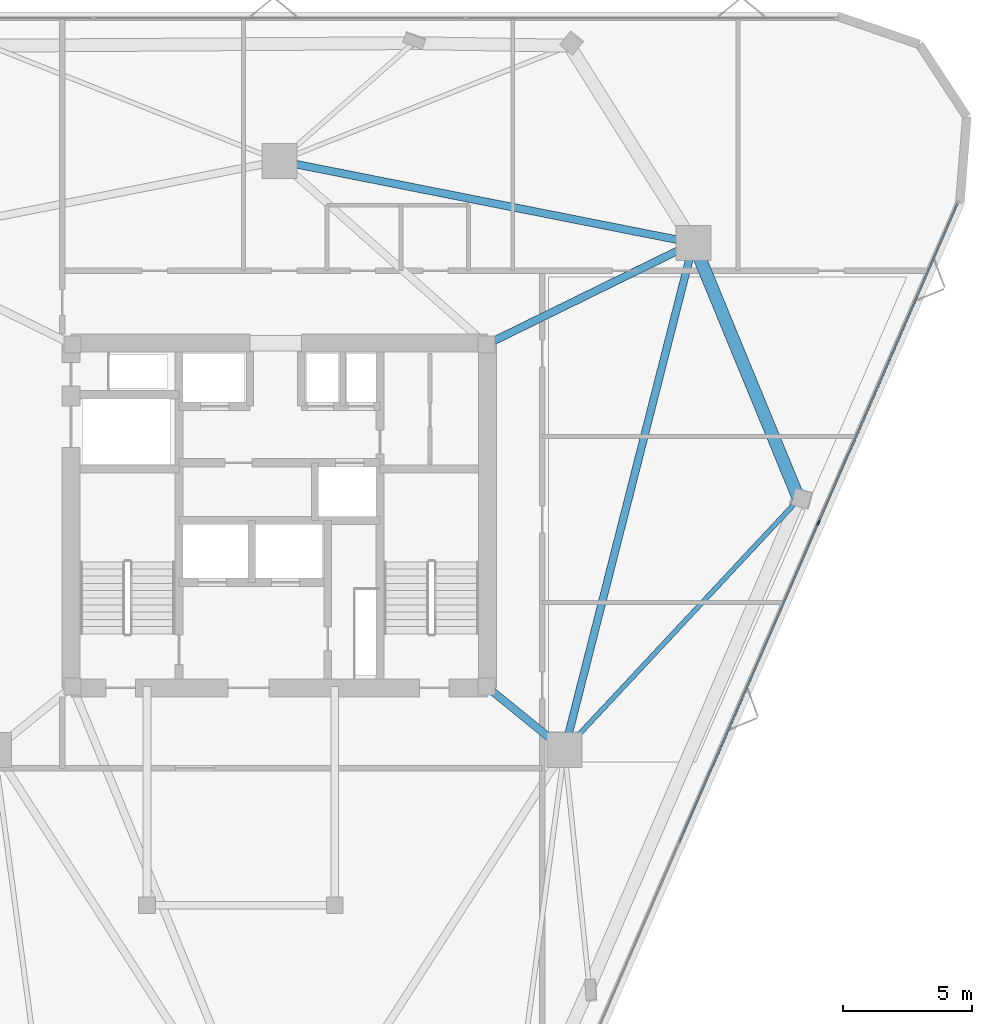
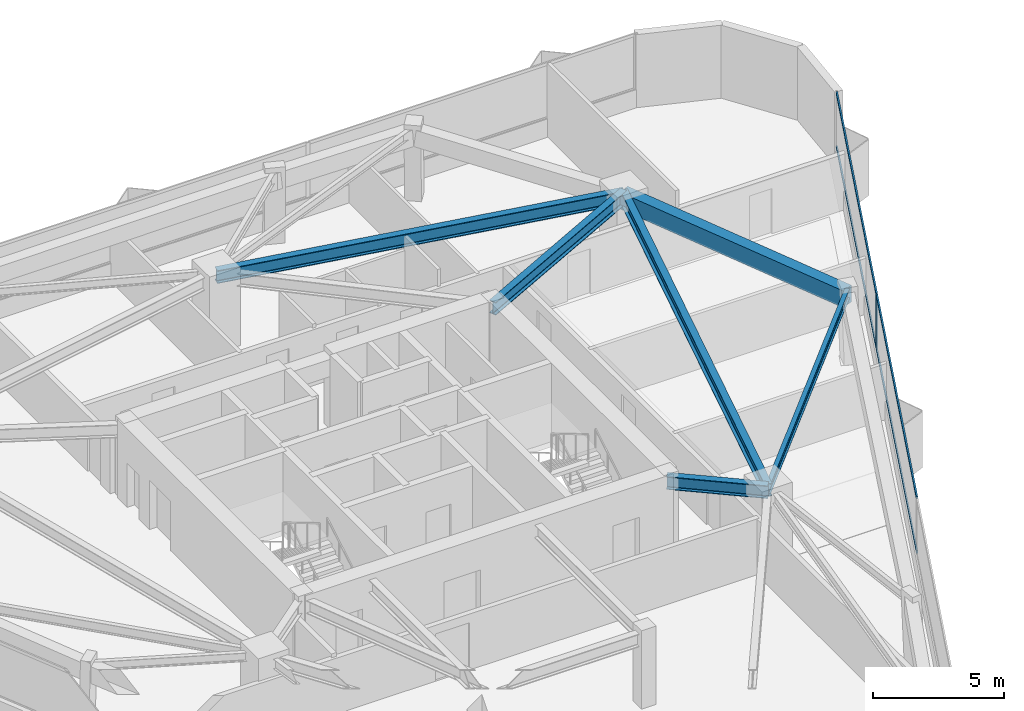
# One storey, part 7 of 12: 6 beams, 5 members, 1 element without a shape of its own.
"""IFC4 building model written with IfcOpenShell, lengths in metres."""

from ifc_helpers import new_model, si_unit, direction, frame, origin, origin_2d, place, context, subcontext, project, spatial, rectangle, i_section, extrude, material, layer, layer_set, material_profile, profile_set, type_object, element, aggregate, save


model = new_model("IFC4")

# Units and contexts
model_context = context("Model", 3, precision=1e-05, world=origin(), true_north=direction((0.0, 1.0)))
body_context = subcontext(model_context, "Body", "Model", "MODEL_VIEW")
ifc_project = project(units=[si_unit("LENGTHUNIT", "METRE"), si_unit("AREAUNIT", "SQUARE_METRE"), si_unit("VOLUMEUNIT", "CUBIC_METRE"), si_unit("PLANEANGLEUNIT", "RADIAN"), si_unit("MASSUNIT", "GRAM", prefix="KILO")], contexts=[model_context])

# Site, building, storey
site_placement = place(None, origin())
site = spatial("IfcSite", under=ifc_project, at=site_placement, CompositionType="ELEMENT")
building_placement = place(site_placement, origin())
building = spatial("IfcBuilding", under=site, at=building_placement, Name="Talyreon Biosciences Tower", CompositionType="ELEMENT")
storey_placement = place(building_placement, frame((0.0, 0.0, 179.39990234375)))
storey = spatial("IfcBuildingStorey", under=building, at=storey_placement, Name="L47", CompositionType="ELEMENT", Elevation=179.39990234375)

# Curtain wall, members
ifc_material_1 = material(Name="Thermally broken aluminium and low-E glazing", Category="aluminium")
ifc_layer = layer(ifc_material_1, 0.179931640625)
ifc_layer_set = layer_set([ifc_layer], Name="Thermally broken aluminium and low-E glazing")
curtain_wall_type = type_object("IfcCurtainWallType", Name="CurtainWall_Zone4Optical", PredefinedType="NOTDEFINED", material=ifc_layer_set)
curtain_wall_placement = place(storey_placement, origin())
curtain_wall = element("IfcCurtainWall", 1, at=curtain_wall_placement, inside=storey, type_object=curtain_wall_type, Name="L47 Unitised Curtain Wall FCW-L47-08", PredefinedType="NOTDEFINED")
ifc_material_2 = material(Name="Anodised thermally broken aluminium", Category="aluminium")
ifc_material_profile_1 = material_profile(ifc_material_2, rectangle(XDim=0.06494140625, YDim=0.179931640625, at=origin_2d()), Name="ALUM MULLION 65x180")
ifc_profile_set_1 = profile_set([ifc_material_profile_1], Name="Anodised thermally broken aluminium")
member_type_1 = type_object("IfcMemberType", Name="CWMullion_65x180", PredefinedType="MULLION", material=ifc_profile_set_1)
member_1_placement = place(storey_placement, frame((86.966552734375, 67.713623046875, 0.81005859375), z_axis=(0.0, 0.0, 1.0), x_axis=(0.916912184291, -0.399089020519, 0.0)))
member_1 = element("IfcMember", 2, at=member_1_placement, type_object=member_type_1, Name="CW5 mullion 2", PredefinedType="MULLION", context=body_context, shape_type="SweptSolid", body=[
    extrude(rectangle(XDim=0.06494140625, YDim=0.179931640625, at=origin_2d()), origin(), (0.0, 0.0, 1.0), 2.590087890625),
])
ifc_material_profile_2 = material_profile(ifc_material_2, rectangle(XDim=0.06494140625, YDim=0.139892578125, at=origin_2d()), Name="ALUM TRANSOM 65x140")
ifc_profile_set_2 = profile_set([ifc_material_profile_2], Name="Anodised thermally broken aluminium")
member_type_2 = type_object("IfcMemberType", Name="CWTransom_65x140", PredefinedType="USERDEFINED", material=ifc_profile_set_2)
member_2_placement = place(storey_placement, frame((92.36474609375, 80.115966796875, 0.842529296875), z_axis=(-0.399077385587, -0.916917248345, 0.0), x_axis=(0.916917248345, -0.399077385587, 0.0)))
member_2 = element("IfcMember", 3, at=member_2_placement, type_object=member_type_2, Name="CW5 transom 1.1", ObjectType="TRANSOM", PredefinedType="USERDEFINED", context=body_context, shape_type="SweptSolid", body=[
    extrude(rectangle(XDim=0.06494140625, YDim=0.139892578125, at=origin_2d()), origin(), (0.0, 0.0, 1.0), 13.49365234375),
])
member_3_placement = place(storey_placement, frame((92.36474609375, 80.115966796875, 3.36767578125), z_axis=(-0.399077385587, -0.916917248345, 0.0), x_axis=(0.916917248345, -0.399077385587, 0.0)))
member_3 = element("IfcMember", 4, at=member_3_placement, type_object=member_type_2, Name="CW5 transom 1.2", ObjectType="TRANSOM", PredefinedType="USERDEFINED", context=body_context, shape_type="SweptSolid", body=[
    extrude(rectangle(XDim=0.06494140625, YDim=0.139892578125, at=origin_2d()), origin(), (0.0, 0.0, 1.0), 13.49365234375),
])
member_4_placement = place(storey_placement, frame((86.95361328125, 67.683837890625, 0.842529296875), z_axis=(-0.399082487198, -0.916915027913, 0.0), x_axis=(0.916915027913, -0.399082487198, 0.0)))
member_4 = element("IfcMember", 5, at=member_4_placement, type_object=member_type_2, Name="CW5 transom 2.1", ObjectType="TRANSOM", PredefinedType="USERDEFINED", context=body_context, shape_type="SweptSolid", body=[
    extrude(rectangle(XDim=0.06494140625, YDim=0.139892578125, at=origin_2d()), origin(), (0.0, 0.0, 1.0), 13.52587890625),
])
member_5_placement = place(storey_placement, frame((86.95361328125, 67.683837890625, 3.36767578125), z_axis=(-0.399082487198, -0.916915027913, 0.0), x_axis=(0.916915027913, -0.399082487198, 0.0)))
member_5 = element("IfcMember", 6, at=member_5_placement, type_object=member_type_2, Name="CW5 transom 2.2", ObjectType="TRANSOM", PredefinedType="USERDEFINED", context=body_context, shape_type="SweptSolid", body=[
    extrude(rectangle(XDim=0.06494140625, YDim=0.139892578125, at=origin_2d()), origin(), (0.0, 0.0, 1.0), 13.52587890625),
])
aggregate(curtain_wall, [member_1, member_2, member_3, member_4, member_5])

# Beams
ifc_material_3 = material(Name="Precast concrete C45/55", Category="concrete")
ifc_material_profile_3 = material_profile(ifc_material_3, rectangle(XDim=0.5, YDim=0.780029296875, at=origin_2d()), Name="RCB 500x780")
ifc_profile_set_3 = profile_set([ifc_material_profile_3], Name="Precast concrete C45/55")
beam_type_1 = type_object("IfcBeamType", Name="ExpressedSpandrel_500x780", PredefinedType="SPANDREL", material=ifc_profile_set_3)
beam_1_placement = place(storey_placement, frame((86.20263671875, 68.63916015625, 3.010009765625), z_axis=(-0.380700781205, 0.924698283328, 0.0), x_axis=(-0.924698283328, -0.380700781205, 0.0)))
element("IfcBeam", 7, at=beam_1_placement, inside=storey, type_object=beam_type_1, Name="L47 Expressed Horizontal Concrete Spandrel 04", PredefinedType="SPANDREL", context=body_context, shape_type="SweptSolid", body=[
    extrude(rectangle(XDim=0.5, YDim=0.780029296875, at=origin_2d()), origin(), (0.0, 0.0, 1.0), 10.7705078125),
])
ifc_material_4 = material(Name="Steel SM355", Category="steel")
ifc_material_profile_4 = material_profile(ifc_material_4, i_section(OverallWidth=0.300048828125, OverallDepth=0.60009765625, WebThickness=0.015380859375, FlangeThickness=0.030029296875, FilletRadius=0.027099609375, at=origin_2d()), Name="HE600B")
ifc_profile_set_4 = profile_set([ifc_material_profile_4], Name="Steel SM355")
beam_type_2 = type_object("IfcBeamType", Name="SteelBeam_HE600B", PredefinedType="BEAM", material=ifc_profile_set_4)
beam_2_placement = place(storey_placement, frame((77.086181640625, 58.88037109375, 3.10009765625), z_axis=(0.246537082299, 0.969133358755, 0.0), x_axis=(-0.969133358755, 0.246537082299, 0.0)))
element("IfcBeam", 8, at=beam_2_placement, inside=storey, type_object=beam_type_2, Name="L47 Mega-Ring Girder 2", PredefinedType="BEAM", context=body_context, shape_type="SweptSolid", body=[
    extrude(i_section(OverallWidth=0.300048828125, OverallDepth=0.60009765625, WebThickness=0.015380859375, FlangeThickness=0.030029296875, FilletRadius=0.027099609375, at=origin_2d()), origin(), (0.0, 0.0, 1.0), 20.34619140625),
])
beam_3_placement = place(storey_placement, frame((82.102294921875, 78.5986328125, 3.10009765625), z_axis=(-0.980933730698, 0.194342522311, 0.0), x_axis=(-0.194342522311, -0.980933730698, 0.0)))
element("IfcBeam", 9, at=beam_3_placement, inside=storey, type_object=beam_type_2, Name="L47 Mega-Ring Girder 3", PredefinedType="BEAM", context=body_context, shape_type="SweptSolid", body=[
    extrude(i_section(OverallWidth=0.300048828125, OverallDepth=0.60009765625, WebThickness=0.015380859375, FlangeThickness=0.030029296875, FilletRadius=0.027099609375, at=origin_2d()), origin(), (0.0, 0.0, 1.0), 16.415283203125),
])
beam_4_placement = place(storey_placement, frame((74.050048828125, 61.35009765625, 3.10009765625), z_axis=(0.775755154013, -0.631034025249, 0.0), x_axis=(0.631034025249, 0.775755154013, 0.0)))
element("IfcBeam", 10, at=beam_4_placement, inside=storey, type_object=beam_type_2, Name="L47 Radial Primary Girder 2", PredefinedType="BEAM", context=body_context, shape_type="SweptSolid", body=[
    extrude(i_section(OverallWidth=0.300048828125, OverallDepth=0.60009765625, WebThickness=0.015380859375, FlangeThickness=0.030029296875, FilletRadius=0.027099609375, at=origin_2d()), origin(), (0.0, 0.0, 1.0), 3.913818359375),
])
beam_5_placement = place(storey_placement, frame((74.050048828125, 74.64990234375, 3.10009765625), z_axis=(0.897852360314, 0.440296648952, 0.0), x_axis=(-0.440296648952, 0.897852360314, 0.0)))
element("IfcBeam", 11, at=beam_5_placement, inside=storey, type_object=beam_type_2, Name="L47 Radial Primary Girder 3", PredefinedType="BEAM", context=body_context, shape_type="SweptSolid", body=[
    extrude(i_section(OverallWidth=0.300048828125, OverallDepth=0.60009765625, WebThickness=0.015380859375, FlangeThickness=0.030029296875, FilletRadius=0.027099609375, at=origin_2d()), origin(), (0.0, 0.0, 1.0), 8.96826171875),
])
ifc_material_profile_5 = material_profile(ifc_material_4, i_section(OverallWidth=0.18994140625, OverallDepth=0.449951171875, WebThickness=0.009521484375, FlangeThickness=0.0146484375, FilletRadius=0.02099609375, at=origin_2d()), Name="IPE450")
ifc_profile_set_5 = profile_set([ifc_material_profile_5], Name="Steel SM355")
beam_type_3 = type_object("IfcBeamType", Name="SteelJoist_IPE450", PredefinedType="JOIST", material=ifc_profile_set_5)
beam_6_placement = place(storey_placement, frame((77.086181640625, 58.88037109375, 3.175048828125), z_axis=(0.682648419673, 0.730746970653, 0.0), x_axis=(-0.730746970653, 0.682648419673, 0.0)))
element("IfcBeam", 12, at=beam_6_placement, inside=storey, type_object=beam_type_3, Name="L47 Radial Composite Floor Joist PC-SE2", PredefinedType="JOIST", context=body_context, shape_type="SweptSolid", body=[
    extrude(i_section(OverallWidth=0.18994140625, OverallDepth=0.449951171875, WebThickness=0.009521484375, FlangeThickness=0.0146484375, FilletRadius=0.02099609375, at=origin_2d()), origin(), (0.0, 0.0, 1.0), 13.3544921875),
])

save(model, "model.ifc")
